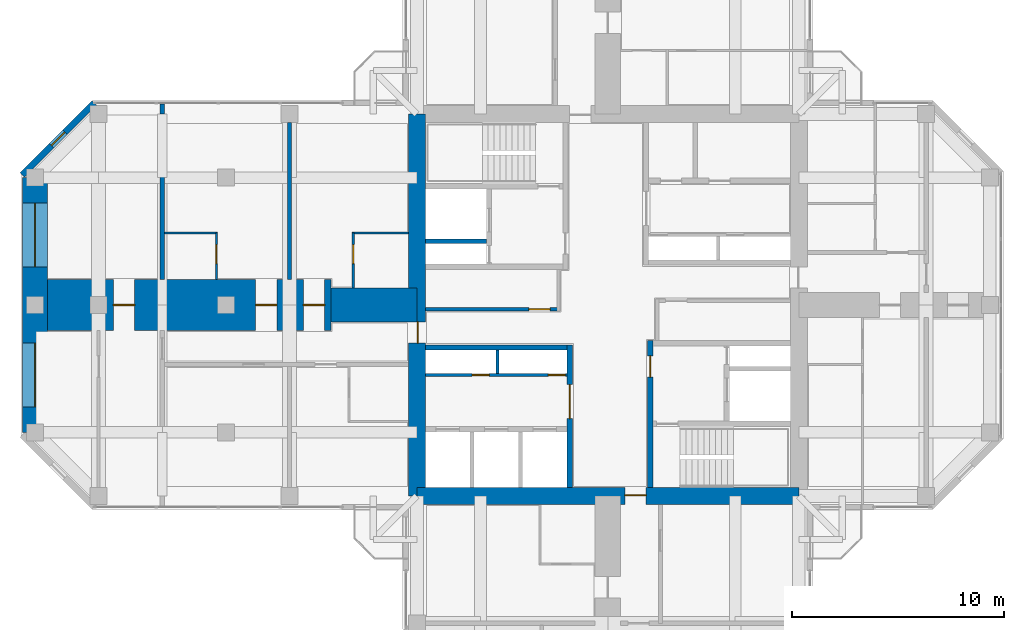
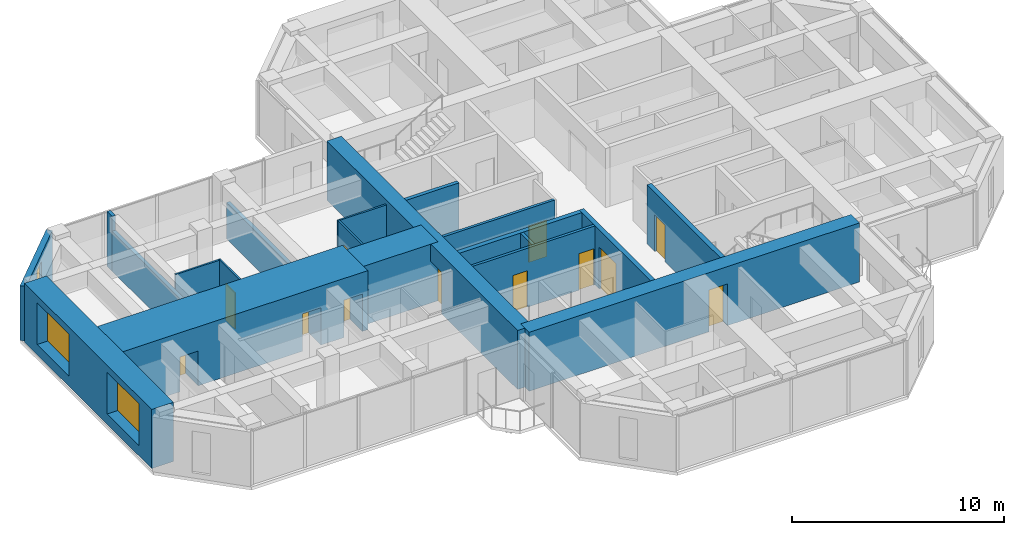
# One storey, part 9 of 13: 20 walls, 12 doors, 3 windows, 15 openings.
"""IFC4 building model written with IfcOpenShell, lengths in metres."""

import ifcopenshell
import ifcopenshell.guid

model = None  # the IFC model being written
_history = None  # IfcOwnerHistory: only IFC2X3 demands one
_inside = {}  # id of a spatial element -> (the spatial element, [elements in it])
_under = {}  # id of a project, library or spatial element -> (it, [spatial elements below it])
_declared = {}  # id of a project -> (the project, [libraries it declares])
_typed = {}  # id of a type object -> (the type object, [elements of that type])
_made_of = {}  # id of a material, layer set ... -> (it, [elements and type objects made of it])


def new_model(schema):
    """Start an empty IFC model of exactly this schema.

    Asked for "IFC4X3", IfcOpenShell would pick the latest addendum, in which some entities
    have other attributes; the version numbers below select the first issue.
    IFC2X3 requires an IfcOwnerHistory on every rooted entity: one is made here for all.
    """
    global model, _history
    if schema == "IFC4X3":
        model = ifcopenshell.file(schema_version=(4, 3, 0, 0))
    else:
        model = ifcopenshell.file(schema=schema)
    _inside.clear()
    _under.clear()
    _declared.clear()
    _typed.clear()
    _made_of.clear()
    _history = None
    if model.schema == "IFC2X3":
        org = make("IfcOrganization", Name="unknown")
        user = make(
            "IfcPersonAndOrganization",
            ThePerson=make("IfcPerson", FamilyName="unknown"),
            TheOrganization=org,
        )
        app = make(
            "IfcApplication",
            ApplicationDeveloper=org,
            Version="unknown",
            ApplicationFullName="unknown",
            ApplicationIdentifier="unknown",
        )
        _history = make(
            "IfcOwnerHistory",
            OwningUser=user,
            OwningApplication=app,
            ChangeAction="ADDED",
            CreationDate=0,
        )
    return model


def make(cls, **values):
    """One entity of the class cls with the attributes given. An attribute that is None is left unset."""
    return model.create_entity(
        cls, **{name: value for name, value in values.items() if value is not None}
    )


def rooted(cls, **values):
    """An entity with a GlobalId (a new one), such as an element, a storey or a relation."""
    return make(cls, GlobalId=ifcopenshell.guid.new(), OwnerHistory=_history, **values)


def si_unit(unit_type, name, prefix=None):
    """IfcSIUnit, for example si_unit("LENGTHUNIT", "METRE", prefix="MILLI")."""
    return make("IfcSIUnit", UnitType=unit_type, Prefix=prefix, Name=name)


def assignment(units):
    """IfcUnitAssignment: the units of a project."""
    return None if units is None else make("IfcUnitAssignment", Units=units)


def point(xyz):
    """IfcCartesianPoint."""
    return None if xyz is None else make("IfcCartesianPoint", Coordinates=xyz)


def direction(xyz):
    """IfcDirection."""
    return None if xyz is None else make("IfcDirection", DirectionRatios=xyz)


def frame(location, z_axis=None, x_axis=None):
    """IfcAxis2Placement3D, a coordinate frame: its origin and axes. An axis left out is left unset."""
    return make(
        "IfcAxis2Placement3D",
        Location=point(location),
        Axis=direction(z_axis),
        RefDirection=direction(x_axis),
    )


def frame_2d(location, x_axis=None):
    """IfcAxis2Placement2D, a coordinate frame in the plane: its origin and x axis."""
    return make(
        "IfcAxis2Placement2D", Location=point(location), RefDirection=direction(x_axis)
    )


def origin():
    """The frame at (0, 0, 0) with its axes left unset."""
    return frame((0.0, 0.0, 0.0))


def place(relative_to, where):
    """IfcLocalPlacement: puts the frame where relative to a parent placement (None: the world)."""
    return make(
        "IfcLocalPlacement", PlacementRelTo=relative_to, RelativePlacement=where
    )


def context(
    kind, dimensions, precision=None, world=None, true_north=None, identifier=None
):
    """IfcGeometricRepresentationContext, for example the 3D "Model" context."""
    return make(
        "IfcGeometricRepresentationContext",
        ContextIdentifier=identifier,
        ContextType=kind,
        CoordinateSpaceDimension=dimensions,
        Precision=precision,
        WorldCoordinateSystem=world,
        TrueNorth=true_north,
    )


def subcontext(parent, identifier, kind, view, scale=None):
    """IfcGeometricRepresentationSubContext, for example "Body" below "Model"."""
    return make(
        "IfcGeometricRepresentationSubContext",
        ContextIdentifier=identifier,
        ContextType=kind,
        ParentContext=parent,
        TargetScale=scale,
        TargetView=view,
    )


def project(units=None, contexts=None):
    """IfcProject with its units and contexts."""
    return rooted(
        "IfcProject",
        Name="project",
        RepresentationContexts=contexts,
        UnitsInContext=assignment(units),
    )


def spatial(cls, under=None, at=None, **own):
    """A site, building, storey or space (cls), placed at a placement, below another one or the project."""
    s = rooted(cls, ObjectPlacement=at, **own)
    if under is not None:
        _under.setdefault(under.id(), (under, []))[1].append(s)
    return s


def profile(cls, at=None, kind="AREA", **sizes):
    """A parametric profile (cls). Its sizes go by their IFC names, for example OverallWidth=200.0."""
    return make(cls, ProfileType=kind, Position=at, **sizes)


def rectangle(**sizes):
    """IfcRectangleProfileDef."""
    return profile("IfcRectangleProfileDef", **sizes)


def hollow_rectangle(**sizes):
    """IfcRectangleHollowProfileDef."""
    return profile("IfcRectangleHollowProfileDef", **sizes)


def extrude(swept, where, along, depth):
    """IfcExtrudedAreaSolid: the profile swept, set in the frame where, extruded along a direction by depth."""
    return make(
        "IfcExtrudedAreaSolid",
        SweptArea=swept,
        Position=where,
        ExtrudedDirection=direction(along),
        Depth=depth,
    )


def shape(context_of_items, identifier, shape_type, items):
    """IfcShapeRepresentation: the items that make up one representation, for example the "Body"."""
    return make(
        "IfcShapeRepresentation",
        ContextOfItems=context_of_items,
        RepresentationIdentifier=identifier,
        RepresentationType=shape_type,
        Items=items,
    )


def material(Name=None, Category=None):
    """IfcMaterial."""
    return make("IfcMaterial", Name=Name, Category=Category)


def layer(
    of_material, thickness, ventilated=None, Name=None, Category=None, Priority=None
):
    """IfcMaterialLayer: one layer of a wall or slab, of a material (None: an air gap)."""
    return make(
        "IfcMaterialLayer",
        Material=of_material,
        LayerThickness=thickness,
        IsVentilated=ventilated,
        Name=Name,
        Category=Category,
        Priority=Priority,
    )


def layer_set(layers, Name=None):
    """IfcMaterialLayerSet."""
    return make("IfcMaterialLayerSet", MaterialLayers=layers, LayerSetName=Name)


def constituent(of_material, Name=None, Category=None, fraction=None):
    """IfcMaterialConstituent: one of the materials an element consists of."""
    return make(
        "IfcMaterialConstituent",
        Name=Name,
        Material=of_material,
        Fraction=fraction,
        Category=Category,
    )


def constituent_set(constituents=None, Name=None):
    """IfcMaterialConstituentSet."""
    return make(
        "IfcMaterialConstituentSet", Name=Name, MaterialConstituents=constituents
    )


def made_of(thing, what):
    """Note that an element or type object is made of a material, layer set ...; save() writes the relation."""
    if what is not None:
        _made_of.setdefault(what.id(), (what, []))[1].append(thing)
    return thing


def type_object(cls, material=None, **own):
    """A type object (cls), such as IfcWallType, which elements share."""
    return made_of(rooted(cls, **own), material)


def element(
    cls,
    number,
    at=None,
    inside=None,
    cuts=None,
    type_object=None,
    material=None,
    context=None,
    identifier="Body",
    shape_type=None,
    held_by="IfcProductDefinitionShape",
    body=None,
    shapes=None,
    **own,
):
    """One element of the class cls, such as IfcWall. Its Tag is "e" and its number.

    at: its placement. inside: the storey or other place that contains it. cuts: it is an
    opening in that element (IfcRelVoidsElement). A single representation is given by context,
    identifier, shape_type and body (its items); several are given by shapes. held_by: the class
    of the entity that holds the representations. save() writes the other relations.
    """
    e = rooted(cls, Tag="e%d" % number, ObjectPlacement=at, **own)
    if body is not None:
        shapes = [shape(context, identifier, shape_type, body)]
    if shapes is not None:
        e.Representation = make(held_by, Representations=shapes)
    if inside is not None:
        _inside.setdefault(inside.id(), (inside, []))[1].append(e)
    if cuts is not None:
        rooted(
            "IfcRelVoidsElement", RelatingBuildingElement=cuts, RelatedOpeningElement=e
        )
    if type_object is not None:
        _typed.setdefault(type_object.id(), (type_object, []))[1].append(e)
    return made_of(e, material)


def fill(opening, filler):
    """IfcRelFillsElement: the door or window that sits in an opening."""
    return rooted(
        "IfcRelFillsElement",
        RelatingOpeningElement=opening,
        RelatedBuildingElement=filler,
    )


def aggregate(whole, parts):
    """IfcRelAggregates: a whole, such as a stair, and the parts it consists of."""
    return rooted("IfcRelAggregates", RelatingObject=whole, RelatedObjects=parts)


def save(model, path):
    """Write the relations noted so far, then the file.

    IfcRelAggregates (storeys below a building ...), IfcRelContainedInSpatialStructure (elements
    in a storey), IfcRelDefinesByType, IfcRelAssociatesMaterial and IfcRelDeclares: one each for
    every whole, place, type object, material and project.
    """
    for whole, parts in _under.values():
        aggregate(whole, parts)
    for where, things in _inside.values():
        rooted(
            "IfcRelContainedInSpatialStructure",
            RelatedElements=things,
            RelatingStructure=where,
        )
    for kind, things in _typed.values():
        rooted("IfcRelDefinesByType", RelatedObjects=things, RelatingType=kind)
    for what, things in _made_of.values():
        rooted("IfcRelAssociatesMaterial", RelatedObjects=things, RelatingMaterial=what)
    for by, libraries in _declared.values():
        rooted("IfcRelDeclares", RelatingContext=by, RelatedDefinitions=libraries)
    model.write(path)


model = new_model("IFC4")

# Units and contexts
model_context = context("Model", 3, precision=1e-05, world=origin(), true_north=direction((0.0, 1.0)))
body_context = subcontext(model_context, "Body", "Model", "MODEL_VIEW")
ifc_project = project(units=[si_unit("LENGTHUNIT", "METRE"), si_unit("AREAUNIT", "SQUARE_METRE"), si_unit("VOLUMEUNIT", "CUBIC_METRE"), si_unit("PLANEANGLEUNIT", "RADIAN"), si_unit("MASSUNIT", "GRAM", prefix="KILO")], contexts=[model_context])

# Site, building, storey
site_placement = place(None, origin())
site = spatial("IfcSite", under=ifc_project, at=site_placement, CompositionType="ELEMENT")
building_placement = place(site_placement, origin())
building = spatial("IfcBuilding", under=site, at=building_placement, Name="Torre Cruceta", CompositionType="ELEMENT")
storey_placement = place(building_placement, frame((0.0, 0.0, 249.300048828125)))
storey = spatial("IfcBuildingStorey", under=building, at=storey_placement, Name="L64", CompositionType="ELEMENT", Elevation=249.300048828125)

# Wall
ifc_material_1 = material(Name="Water-resistant plasterboard on steel studs", Category="steel")
ifc_layer_1 = layer(ifc_material_1, 0.10009765625)
ifc_layer_set_1 = layer_set([ifc_layer_1], Name="Water-resistant plasterboard on steel studs")
wall_type_1 = type_object("IfcWallType", Name="BATHROOM WALL 100", PredefinedType="PARTITIONING", material=ifc_layer_set_1)
wall_1_placement = place(storey_placement, frame((-9.39990234375, 3.39990234375, 0.0), z_axis=(0.0, 0.0, 1.0), x_axis=(-1.0, 0.0, 0.0)))
element("IfcWall", 1, at=wall_1_placement, inside=storey, type_object=wall_type_1, Name="PT4 L64-W-U1RBB", PredefinedType="PARTITIONING", context=body_context, shape_type="SweptSolid", body=[
    extrude(rectangle(XDim=2.650146484375, YDim=0.10009765625, at=frame_2d((1.3251953125, 0.0))), origin(), (0.0, 0.0, 1.0), 3.14990234375),
])

# Wall, opening, door
wall_2_placement = place(storey_placement, frame((-12.0, 3.39990234375, 0.0), z_axis=(0.0, 0.0, 1.0), x_axis=(0.0, -1.0, 0.0)))
wall_2 = element("IfcWall", 2, at=wall_2_placement, inside=storey, type_object=wall_type_1, Name="PT4 L64-W-U1RBS", PredefinedType="PARTITIONING", context=body_context, shape_type="SweptSolid", body=[
    extrude(rectangle(XDim=2.599853515625, YDim=0.10009765625, at=frame_2d((1.2998046875, 0.0))), origin(), (0.0, 0.0, 1.0), 3.14990234375),
])
opening_1_placement = place(wall_2_placement, frame((0.550048828125, 0.0, 0.0)))
opening_1 = element("IfcOpeningElement", 3, at=opening_1_placement, cuts=wall_2, Name="Opening D7", PredefinedType="OPENING", context=body_context, shape_type="SweptSolid", body=[
    extrude(rectangle(XDim=0.89990234375, YDim=2.10009765625, at=frame_2d((0.449951171875, 1.050048828125))), frame((0.0, 0.06005859375, 0.0), z_axis=(0.0, -1.0, 0.0), x_axis=(1.0, 0.0, 0.0)), (0.0, 0.0, 1.0), 0.1201171875),
])
ifc_material_2 = material(Name="Timber door", Category="wood")
door_type_1 = type_object("IfcDoorType", Name="BATHROOM DOOR 900X2100", OperationType="SINGLE_SWING_LEFT", PredefinedType="DOOR", material=ifc_material_2)
door_1_placement = place(opening_1_placement, origin())
door_1 = element("IfcDoor", 4, at=door_1_placement, inside=storey, type_object=door_type_1, Name="D7 L64-W-U1RBS-D1", OperationType="SINGLE_SWING_LEFT", OverallHeight=2.10009765625, OverallWidth=0.89990234375, PredefinedType="DOOR", context=body_context, shape_type="SweptSolid", body=[
    extrude(rectangle(XDim=0.89990234375, YDim=2.10009765625, at=frame_2d((0.449951171875, 1.050048828125))), frame((0.0, 0.02490234375, 0.0), z_axis=(0.0, -1.0, 0.0), x_axis=(1.0, 0.0, 0.0)), (0.0, 0.0, 1.0), 0.050048828125),
])
fill(opening_1, door_1)

# Wall
wall_3_placement = place(storey_placement, frame((-18.39990234375, 3.39990234375, 0.0), z_axis=(0.0, 0.0, 1.0), x_axis=(-1.0, 0.0, 0.0)))
element("IfcWall", 5, at=wall_3_placement, inside=storey, type_object=wall_type_1, Name="PT4 L64-W-U2RBB", PredefinedType="PARTITIONING", context=body_context, shape_type="SweptSolid", body=[
    extrude(rectangle(XDim=2.5, YDim=0.10009765625, at=frame_2d((1.25, 0.0))), origin(), (0.0, 0.0, 1.0), 3.14990234375),
])

# Wall, opening, door
wall_4_placement = place(storey_placement, frame((-18.449951171875, 3.39990234375, 0.0), z_axis=(0.0, 0.0, 1.0), x_axis=(0.0, -1.0, 0.0)))
wall_4 = element("IfcWall", 6, at=wall_4_placement, inside=storey, type_object=wall_type_1, Name="PT4 L64-W-U2RBS", PredefinedType="PARTITIONING", context=body_context, shape_type="SweptSolid", body=[
    extrude(rectangle(XDim=2.199951171875, YDim=0.10009765625, at=frame_2d((1.10009765625, 0.0))), origin(), (0.0, 0.0, 1.0), 3.14990234375),
])
opening_2_placement = place(wall_4_placement, frame((0.550048828125, 0.0, 0.0)))
opening_2 = element("IfcOpeningElement", 7, at=opening_2_placement, cuts=wall_4, Name="Opening D7", PredefinedType="OPENING", context=body_context, shape_type="SweptSolid", body=[
    extrude(rectangle(XDim=0.89990234375, YDim=2.10009765625, at=frame_2d((0.449951171875, 1.050048828125))), frame((0.0, 0.06005859375, 0.0), z_axis=(0.0, -1.0, 0.0), x_axis=(1.0, 0.0, 0.0)), (0.0, 0.0, 1.0), 0.1201171875),
])
door_2_placement = place(opening_2_placement, frame((0.89990234375, 0.0, 0.0), z_axis=(0.0, 0.0, 1.0), x_axis=(-1.0, 0.0, 0.0)))
door_2 = element("IfcDoor", 8, at=door_2_placement, inside=storey, type_object=door_type_1, Name="D7 L64-W-U2RBS-D1", OperationType="SINGLE_SWING_RIGHT", OverallHeight=2.10009765625, OverallWidth=0.89990234375, PredefinedType="DOOR", context=body_context, shape_type="SweptSolid", body=[
    extrude(rectangle(XDim=0.89990234375, YDim=2.10009765625, at=frame_2d((0.449951171875, 1.050048828125))), frame((0.0, 0.025146484375, 0.0), z_axis=(0.0, -1.0, 0.0), x_axis=(1.0, 0.0, 0.0)), (0.0, 0.0, 1.0), 0.050048828125),
])
fill(opening_2, door_2)

ifc_material_3 = material(Name="Concrete G60 (fck 60 MPa)", Category="concrete")
ifc_layer_2 = layer(ifc_material_3, 0.25)
ifc_layer_set_2 = layer_set([ifc_layer_2], Name="Concrete G60 (fck 60 MPa)")
wall_type_2 = type_object("IfcWallType", Name="CORE INNER WALL 250 G60", PredefinedType="SHEAR", material=ifc_layer_set_2)
wall_5_placement = place(storey_placement, frame((-1.800048828125, -1.875, 0.0), z_axis=(0.0, 0.0, 1.0), x_axis=(0.0, -1.0, 0.0)))
wall_5 = element("IfcWall", 9, at=wall_5_placement, inside=storey, type_object=wall_type_2, Name="CW4 L64 SW-CU", PredefinedType="SHEAR", context=body_context, shape_type="SweptSolid", body=[
    extrude(rectangle(XDim=6.72509765625, YDim=0.25, at=frame_2d((3.362548828125, 0.0))), origin(), (0.0, 0.0, 1.0), 3.39990234375),
])
opening_3_placement = place(wall_5_placement, frame((1.875, 0.0, 0.0)))
opening_3 = element("IfcOpeningElement", 10, at=opening_3_placement, cuts=wall_5, Name="Opening D8", PredefinedType="OPENING", context=body_context, shape_type="SweptSolid", body=[
    extrude(rectangle(XDim=1.60009765625, YDim=2.39990234375, at=frame_2d((0.800048828125, 1.199951171875))), frame((0.0, 0.135009765625, 0.0), z_axis=(0.0, -1.0, 0.0), x_axis=(1.0, 0.0, 0.0)), (0.0, 0.0, 1.0), 0.27001953125),
])
ifc_material_4 = material(Name="Steel DX51D", Category="steel")
ifc_constituent_1 = constituent(ifc_material_4, Name="Leaf and frame")
ifc_material_5 = material(Name="Polyester powder coating", Category="paint")
ifc_constituent_2 = constituent(ifc_material_5, Name="Finish")
ifc_material_6 = material(Name="Fire-resisting glass", Category="glass")
ifc_constituent_3 = constituent(ifc_material_6, Name="Vision panel")
ifc_constituent_set_1 = constituent_set(constituents=[ifc_constituent_1, ifc_constituent_2, ifc_constituent_3], Name="Steel fire door with vision panels")
door_type_2 = type_object("IfcDoorType", Name="LIFT LOBBY DOUBLE DOOR 1600X2400", OperationType="DOUBLE_DOOR_DOUBLE_SWING", PredefinedType="DOOR", material=ifc_constituent_set_1)
door_3_placement = place(opening_3_placement, origin())
door_3 = element("IfcDoor", 11, at=door_3_placement, inside=storey, type_object=door_type_2, Name="D8 L64 SW-LOBBY", OperationType="DOUBLE_DOOR_DOUBLE_SWING", OverallHeight=2.39990234375, OverallWidth=1.60009765625, PredefinedType="DOOR", context=body_context, shape_type="SweptSolid", body=[
    extrude(rectangle(XDim=1.60009765625, YDim=2.39990234375, at=frame_2d((0.800048828125, 1.199951171875))), frame((0.0, 0.02490234375, 0.0), z_axis=(0.0, -1.0, 0.0), x_axis=(1.0, 0.0, 0.0)), (0.0, 0.0, 1.0), 0.050048828125),
])
fill(opening_3, door_3)

# Wall
wall_6_placement = place(storey_placement, frame((-1.925048828125, -2.0, 0.0), z_axis=(0.0, 0.0, 1.0), x_axis=(-1.0, 0.0, 0.0)))
element("IfcWall", 12, at=wall_6_placement, inside=storey, type_object=wall_type_2, Name="CW4 L64 SW-CV", PredefinedType="SHEAR", context=body_context, shape_type="SweptSolid", body=[
    extrude(rectangle(XDim=6.675048828125, YDim=0.25, at=frame_2d((3.33740234375, 0.0))), origin(), (0.0, 0.0, 1.0), 3.39990234375),
])

# Wall, opening, door
wall_7_placement = place(storey_placement, frame((2.0, -1.675048828125, 0.0), z_axis=(0.0, 0.0, 1.0), x_axis=(0.0, -1.0, 0.0)))
wall_7 = element("IfcWall", 13, at=wall_7_placement, inside=storey, type_object=wall_type_2, Name="CW4 L64 SE-CU", PredefinedType="SHEAR", context=body_context, shape_type="SweptSolid", body=[
    extrude(rectangle(XDim=6.925048828125, YDim=0.25, at=frame_2d((3.46240234375, 0.0))), origin(), (0.0, 0.0, 1.0), 3.39990234375),
])
opening_4_placement = place(wall_7_placement, frame((0.72509765625, 0.0, 0.0)))
opening_4 = element("IfcOpeningElement", 14, at=opening_4_placement, cuts=wall_7, Name="Opening D3", PredefinedType="OPENING", context=body_context, shape_type="SweptSolid", body=[
    extrude(rectangle(XDim=1.0, YDim=2.10009765625, at=frame_2d((0.5, 1.050048828125))), frame((0.0, 0.135009765625, 0.0), z_axis=(0.0, -1.0, 0.0), x_axis=(1.0, 0.0, 0.0)), (0.0, 0.0, 1.0), 0.27001953125),
])
ifc_material_7 = material(Name="Steel DX51D", Category="steel")
ifc_constituent_4 = constituent(ifc_material_7, Name="Leaf and frame")
ifc_material_8 = material(Name="Polyester powder coating", Category="paint")
ifc_constituent_5 = constituent(ifc_material_8, Name="Finish")
ifc_constituent_set_2 = constituent_set(constituents=[ifc_constituent_4, ifc_constituent_5], Name="Steel fire door")
door_type_3 = type_object("IfcDoorType", Name="FIRE DOOR 1000X2100", OperationType="SINGLE_SWING_LEFT", PredefinedType="DOOR", material=ifc_constituent_set_2)
door_4_placement = place(opening_4_placement, origin())
door_4 = element("IfcDoor", 15, at=door_4_placement, inside=storey, type_object=door_type_3, Name="D3 L64 SE-LOBBY", OperationType="SINGLE_SWING_LEFT", OverallHeight=2.10009765625, OverallWidth=1.0, PredefinedType="DOOR", context=body_context, shape_type="SweptSolid", body=[
    extrude(rectangle(XDim=1.0, YDim=2.10009765625, at=frame_2d((0.5, 1.050048828125))), frame((0.0, 0.02490234375, 0.0), z_axis=(0.0, -1.0, 0.0), x_axis=(1.0, 0.0, 0.0)), (0.0, 0.0, 1.0), 0.050048828125),
])
fill(opening_4, door_4)

ifc_material_9 = material(Name="Concrete G60 (fck 60 MPa)", Category="concrete")
ifc_layer_3 = layer(ifc_material_9, 0.800048828125)
ifc_layer_set_3 = layer_set([ifc_layer_3], Name="Concrete G60 (fck 60 MPa)")
wall_type_3 = type_object("IfcWallType", Name="CORE WALL 800 G60", PredefinedType="SHEAR", material=ifc_layer_set_3)
wall_8_placement = place(storey_placement, frame((-9.0, -9.0, 0.0), z_axis=(0.0, 0.0, 1.0), x_axis=(1.0, 0.0, 0.0)))
wall_8 = element("IfcWall", 16, at=wall_8_placement, inside=storey, type_object=wall_type_3, Name="CW3 L64 CW-S", PredefinedType="SHEAR", context=body_context, shape_type="SweptSolid", body=[
    extrude(rectangle(XDim=18.0, YDim=0.800048828125, at=frame_2d((9.0, 0.0))), origin(), (0.0, 0.0, 1.0), 3.39990234375),
])
opening_5_placement = place(wall_8_placement, frame((9.800048828125, 0.0, 0.0)))
opening_5 = element("IfcOpeningElement", 17, at=opening_5_placement, cuts=wall_8, Name="Opening D4", PredefinedType="OPENING", context=body_context, shape_type="SweptSolid", body=[
    extrude(rectangle(XDim=1.0, YDim=2.39990234375, at=frame_2d((0.5, 1.199951171875))), frame((0.0, 0.409912109375, 0.0), z_axis=(0.0, -1.0, 0.0), x_axis=(1.0, 0.0, 0.0)), (0.0, 0.0, 1.0), 0.820068359375),
])
ifc_material_10 = material(Name="Steel DX51D", Category="steel")
ifc_constituent_6 = constituent(ifc_material_10, Name="Leaf and frame")
ifc_material_11 = material(Name="Polyester powder coating", Category="paint")
ifc_constituent_7 = constituent(ifc_material_11, Name="Finish")
ifc_constituent_set_3 = constituent_set(constituents=[ifc_constituent_6, ifc_constituent_7], Name="Steel fire door")
door_type_4 = type_object("IfcDoorType", Name="CORE ARM DOOR 1000X2400", OperationType="SINGLE_SWING_RIGHT", PredefinedType="DOOR", material=ifc_constituent_set_3)
door_5_placement = place(opening_5_placement, origin())
door_5 = element("IfcDoor", 18, at=door_5_placement, inside=storey, type_object=door_type_4, Name="D4 L64 CW-S", OperationType="SINGLE_SWING_RIGHT", OverallHeight=2.39990234375, OverallWidth=1.0, PredefinedType="DOOR", context=body_context, shape_type="SweptSolid", body=[
    extrude(rectangle(XDim=1.0, YDim=2.39990234375, at=frame_2d((0.5, 1.199951171875))), frame((0.0, 0.05517578125, 0.0), z_axis=(0.0, -1.0, 0.0), x_axis=(1.0, 0.0, 0.0)), (0.0, 0.0, 1.0), 0.050048828125),
])
fill(opening_5, door_5)

wall_9_placement = place(storey_placement, frame((-9.0, 9.0, 0.0), z_axis=(0.0, 0.0, 1.0), x_axis=(0.0, -1.0, 0.0)))
wall_9 = element("IfcWall", 19, at=wall_9_placement, inside=storey, type_object=wall_type_3, Name="CW3 L64 CW-W", PredefinedType="SHEAR", context=body_context, shape_type="SweptSolid", body=[
    extrude(rectangle(XDim=18.0, YDim=0.800048828125, at=frame_2d((9.0, 0.0))), origin(), (0.0, 0.0, 1.0), 3.39990234375),
])
opening_6_placement = place(wall_9_placement, frame((9.800048828125, 0.0, 0.0)))
opening_6 = element("IfcOpeningElement", 20, at=opening_6_placement, cuts=wall_9, Name="Opening D4", PredefinedType="OPENING", context=body_context, shape_type="SweptSolid", body=[
    extrude(rectangle(XDim=1.0, YDim=2.39990234375, at=frame_2d((0.5, 1.199951171875))), frame((0.0, 0.409912109375, 0.0), z_axis=(0.0, -1.0, 0.0), x_axis=(1.0, 0.0, 0.0)), (0.0, 0.0, 1.0), 0.820068359375),
])
door_6_placement = place(opening_6_placement, origin())
door_6 = element("IfcDoor", 21, at=door_6_placement, inside=storey, type_object=door_type_4, Name="D4 L64 CW-W", OperationType="SINGLE_SWING_RIGHT", OverallHeight=2.39990234375, OverallWidth=1.0, PredefinedType="DOOR", context=body_context, shape_type="SweptSolid", body=[
    extrude(rectangle(XDim=1.0, YDim=2.39990234375, at=frame_2d((0.5, 1.199951171875))), frame((0.0, 0.05517578125, 0.0), z_axis=(0.0, -1.0, 0.0), x_axis=(1.0, 0.0, 0.0)), (0.0, 0.0, 1.0), 0.050048828125),
])
fill(opening_6, door_6)

# Wall, opening, window
ifc_material_12 = material(Name="Concrete G30 (fck 30 MPa)", Category="concrete")
ifc_layer_4 = layer(ifc_material_12, 0.300048828125)
ifc_layer_set_4 = layer_set([ifc_layer_4], Name="Concrete G30 (fck 30 MPa)")
wall_type_4 = type_object("IfcWallType", Name="EXPOSED CONCRETE FACADE WALL 300", PredefinedType="SOLIDWALL", material=ifc_layer_set_4)
wall_10_placement = place(storey_placement, frame((-24.21533203125, 9.52001953125, 0.0), z_axis=(0.0, 0.0, 1.0), x_axis=(-0.707132283189, -0.707081278264, 0.0)))
wall_10 = element("IfcWall", 22, at=wall_10_placement, inside=storey, type_object=wall_type_4, Name="EW1 facade wall L64 W chamfer 11", PredefinedType="SOLIDWALL", context=body_context, shape_type="SweptSolid", body=[
    extrude(rectangle(XDim=4.78662109375, YDim=0.300048828125, at=frame_2d((2.393310546875, 0.0))), origin(), (0.0, 0.0, 1.0), 3.14990234375),
])
opening_7_placement = place(wall_10_placement, frame((1.943359375, 0.0, 0.300048828125)))
opening_7 = element("IfcOpeningElement", 23, at=opening_7_placement, cuts=wall_10, Name="Opening WN5", PredefinedType="OPENING", context=body_context, shape_type="SweptSolid", body=[
    extrude(rectangle(XDim=0.89990234375, YDim=2.39990234375, at=frame_2d((0.449951171875, 1.199951171875))), frame((0.0, 0.159912109375, 0.0), z_axis=(0.0, -1.0, 0.0), x_axis=(1.0, 0.0, 0.0)), (0.0, 0.0, 1.0), 0.320068359375),
])
ifc_material_13 = material(Name="Aluminium window frame", Category="aluminium")
ifc_constituent_8 = constituent(ifc_material_13, Name="Frame")
ifc_material_14 = material(Name="Laminated insulating glass unit, low-iron clear", Category="glass")
ifc_constituent_9 = constituent(ifc_material_14, Name="Glazing")
ifc_constituent_set_4 = constituent_set(constituents=[ifc_constituent_8, ifc_constituent_9], Name="Aluminium window")
window_type_1 = type_object("IfcWindowType", Name="CHAMFER SLOT WINDOW 900X2400", PartitioningType="SINGLE_PANEL", PredefinedType="WINDOW", material=ifc_constituent_set_4)
window_1_placement = place(opening_7_placement, origin())
window_1 = element("IfcWindow", 24, at=window_1_placement, inside=storey, type_object=window_type_1, Name="WN5 L64 W 1", OverallHeight=2.39990234375, OverallWidth=0.89990234375, PartitioningType="SINGLE_PANEL", PredefinedType="WINDOW", context=body_context, shape_type="SweptSolid", body=[
    extrude(hollow_rectangle(XDim=0.89990234375, YDim=2.39990234375, WallThickness=0.06005859375, at=frame_2d((0.449951171875, 1.199951171875))), frame((0.0, 0.030029296875, 0.0), z_axis=(0.0, -1.0, 0.0), x_axis=(1.0, 0.0, 0.0)), (0.0, 0.0, 1.0), 0.06005859375),
    extrude(rectangle(XDim=0.77880859375, YDim=2.27880859375, at=frame_2d((0.449951171875, 1.199951171875))), frame((0.0, 0.030029296875, 0.0), z_axis=(0.0, -1.0, 0.0), x_axis=(1.0, 0.0, 0.0)), (0.0, 0.0, 1.0), 0.06005859375),
])
fill(opening_7, window_1)

# Wall
ifc_material_15 = material(Name="Concrete G35 (fck 35 MPa)", Category="concrete")
ifc_layer_5 = layer(ifc_material_15, 0.199951171875)
ifc_layer_set_5 = layer_set([ifc_layer_5], Name="Concrete G35 (fck 35 MPa)")
wall_type_5 = type_object("IfcWallType", Name="LIFT SHAFT WALL 200", PredefinedType="PARTITIONING", material=ifc_layer_set_5)
wall_11_placement = place(storey_placement, frame((-5.72509765625, 3.0, 0.0), z_axis=(0.0, 0.0, 1.0), x_axis=(-1.0, 0.0, 0.0)))
element("IfcWall", 25, at=wall_11_placement, inside=storey, type_object=wall_type_5, Name="SW1 L64 NW-FR", PredefinedType="PARTITIONING", context=body_context, shape_type="SweptSolid", body=[
    extrude(rectangle(XDim=2.875, YDim=0.199951171875, at=frame_2d((1.4375, 0.0))), origin(), (0.0, 0.0, 1.0), 3.39990234375),
])

# Wall, openings, windows
ifc_material_16 = material(Name="Concrete G60 (fck 60 MPa)", Category="concrete")
ifc_layer_6 = layer(ifc_material_16, 1.199951171875)
ifc_layer_set_6 = layer_set([ifc_layer_6], Name="Concrete G60 (fck 60 MPa)")
wall_type_6 = type_object("IfcWallType", Name="NOSE WALL 1200 G60", PredefinedType="SHEAR", material=ifc_layer_set_6)
wall_12_placement = place(storey_placement, frame((-27.0, 6.0, 0.0), z_axis=(0.0, 0.0, 1.0), x_axis=(0.0, -1.0, 0.0)))
wall_12 = element("IfcWall", 26, at=wall_12_placement, inside=storey, type_object=wall_type_6, Name="NW1 nose wall L64 W", PredefinedType="SHEAR", context=body_context, shape_type="SweptSolid", body=[
    extrude(rectangle(XDim=12.0, YDim=1.199951171875, at=frame_2d((6.0, 0.0))), origin(), (0.0, 0.0, 1.0), 3.39990234375),
])
opening_8_placement = place(wall_12_placement, frame((1.199951171875, 0.0, 0.60009765625)))
opening_8 = element("IfcOpeningElement", 27, at=opening_8_placement, cuts=wall_12, Name="Opening WN6", PredefinedType="OPENING", context=body_context, shape_type="SweptSolid", body=[
    extrude(rectangle(XDim=3.0, YDim=2.39990234375, at=frame_2d((1.5, 1.199951171875))), frame((0.0, 0.60986328125, 0.0), z_axis=(0.0, -1.0, 0.0), x_axis=(1.0, 0.0, 0.0)), (0.0, 0.0, 1.0), 1.219970703125),
])
opening_9_placement = place(wall_12_placement, frame((7.800048828125, 0.0, 0.60009765625)))
opening_9 = element("IfcOpeningElement", 28, at=opening_9_placement, cuts=wall_12, Name="Opening WN6", PredefinedType="OPENING", context=body_context, shape_type="SweptSolid", body=[
    extrude(rectangle(XDim=3.0, YDim=2.39990234375, at=frame_2d((1.5, 1.199951171875))), frame((0.0, 0.60986328125, 0.0), z_axis=(0.0, -1.0, 0.0), x_axis=(1.0, 0.0, 0.0)), (0.0, 0.0, 1.0), 1.219970703125),
])
ifc_material_17 = material(Name="Aluminium window frame", Category="aluminium")
ifc_constituent_10 = constituent(ifc_material_17, Name="Frame")
ifc_material_18 = material(Name="Laminated insulating glass unit, low-iron clear", Category="glass")
ifc_constituent_11 = constituent(ifc_material_18, Name="Glazing")
ifc_constituent_set_5 = constituent_set(constituents=[ifc_constituent_10, ifc_constituent_11], Name="Aluminium window")
window_type_2 = type_object("IfcWindowType", Name="NOSE WALL WINDOW 3000X2400", PartitioningType="SINGLE_PANEL", PredefinedType="WINDOW", material=ifc_constituent_set_5)
window_2_placement = place(opening_8_placement, origin())
window_2 = element("IfcWindow", 29, at=window_2_placement, inside=storey, type_object=window_type_2, Name="WN6 L64 W 1", OverallHeight=2.39990234375, OverallWidth=3.0, PartitioningType="SINGLE_PANEL", PredefinedType="WINDOW", context=body_context, shape_type="SweptSolid", body=[
    extrude(hollow_rectangle(XDim=3.0, YDim=2.39990234375, WallThickness=0.06005859375, at=frame_2d((1.5, 1.199951171875))), frame((0.0, 0.030029296875, 0.0), z_axis=(0.0, -1.0, 0.0), x_axis=(1.0, 0.0, 0.0)), (0.0, 0.0, 1.0), 0.06005859375),
    extrude(rectangle(XDim=2.87890625, YDim=2.27880859375, at=frame_2d((1.5, 1.199951171875))), frame((0.0, 0.030029296875, 0.0), z_axis=(0.0, -1.0, 0.0), x_axis=(1.0, 0.0, 0.0)), (0.0, 0.0, 1.0), 0.06005859375),
])
fill(opening_8, window_2)
window_3_placement = place(opening_9_placement, origin())
window_3 = element("IfcWindow", 30, at=window_3_placement, inside=storey, type_object=window_type_2, Name="WN6 L64 W 2", OverallHeight=2.39990234375, OverallWidth=3.0, PartitioningType="SINGLE_PANEL", PredefinedType="WINDOW", context=body_context, shape_type="SweptSolid", body=[
    extrude(hollow_rectangle(XDim=3.0, YDim=2.39990234375, WallThickness=0.06005859375, at=frame_2d((1.5, 1.199951171875))), frame((0.0, 0.030029296875, 0.0), z_axis=(0.0, -1.0, 0.0), x_axis=(1.0, 0.0, 0.0)), (0.0, 0.0, 1.0), 0.06005859375),
    extrude(rectangle(XDim=2.87890625, YDim=2.27880859375, at=frame_2d((1.5, 1.199951171875))), frame((0.0, 0.030029296875, 0.0), z_axis=(0.0, -1.0, 0.0), x_axis=(1.0, 0.0, 0.0)), (0.0, 0.0, 1.0), 0.06005859375),
])
fill(opening_9, window_3)

# Wall, opening, door
ifc_material_19 = material(Name="Plasterboard on steel studs", Category="steel")
ifc_layer_7 = layer(ifc_material_19, 0.14990234375)
ifc_layer_set_7 = layer_set([ifc_layer_7], Name="Plasterboard on steel studs")
wall_type_7 = type_object("IfcWallType", Name="PARTITION 150", PredefinedType="PARTITIONING", material=ifc_layer_set_7)
wall_13_placement = place(storey_placement, frame((-2.324951171875, -0.199951171875, 0.0), z_axis=(0.0, 0.0, 1.0), x_axis=(-1.0, 0.0, 0.0)))
wall_13 = element("IfcWall", 31, at=wall_13_placement, inside=storey, type_object=wall_type_7, Name="PT1 L64-CORE-LEGW-N-W1", PredefinedType="PARTITIONING", context=body_context, shape_type="SweptSolid", body=[
    extrude(rectangle(XDim=6.275146484375, YDim=0.14990234375, at=frame_2d((3.1376953125, 0.0))), origin(), (0.0, 0.0, 1.0), 3.14990234375),
])
opening_10_placement = place(wall_13_placement, frame((0.39990234375, 0.0, 0.0)))
opening_10 = element("IfcOpeningElement", 32, at=opening_10_placement, cuts=wall_13, Name="Opening D3", PredefinedType="OPENING", context=body_context, shape_type="SweptSolid", body=[
    extrude(rectangle(XDim=1.0, YDim=2.10009765625, at=frame_2d((0.5, 1.050048828125))), frame((0.0, 0.0849609375, 0.0), z_axis=(0.0, -1.0, 0.0), x_axis=(1.0, 0.0, 0.0)), (0.0, 0.0, 1.0), 0.169921875),
])
door_7_placement = place(opening_10_placement, frame((1.0, 0.0, 0.0), z_axis=(0.0, 0.0, 1.0), x_axis=(-1.0, 0.0, 0.0)))
door_7 = element("IfcDoor", 33, at=door_7_placement, inside=storey, type_object=door_type_3, Name="D3 L64-CORE-LEGW-N-W1-D1", OperationType="SINGLE_SWING_RIGHT", OverallHeight=2.10009765625, OverallWidth=1.0, PredefinedType="DOOR", context=body_context, shape_type="SweptSolid", body=[
    extrude(rectangle(XDim=1.0, YDim=2.10009765625, at=frame_2d((0.5, 1.050048828125))), frame((0.0, 0.025146484375, 0.0), z_axis=(0.0, -1.0, 0.0), x_axis=(1.0, 0.0, 0.0)), (0.0, 0.0, 1.0), 0.050048828125),
])
fill(opening_10, door_7)

# Wall, openings, doors
ifc_material_20 = material(Name="Concrete block masonry", Category="masonry")
ifc_layer_8 = layer(ifc_material_20, 0.14990234375)
ifc_layer_set_8 = layer_set([ifc_layer_8], Name="Concrete block masonry")
wall_type_8 = type_object("IfcWallType", Name="RISER WALL 150", PredefinedType="PARTITIONING", material=ifc_layer_set_8)
wall_14_placement = place(storey_placement, frame((-1.925048828125, -3.300048828125, 0.0), z_axis=(0.0, 0.0, 1.0), x_axis=(-1.0, 0.0, 0.0)))
wall_14 = element("IfcWall", 34, at=wall_14_placement, inside=storey, type_object=wall_type_8, Name="SW7 L64 SW-RV", PredefinedType="PARTITIONING", context=body_context, shape_type="SweptSolid", body=[
    extrude(rectangle(XDim=6.675048828125, YDim=0.14990234375, at=frame_2d((3.33740234375, 0.0))), origin(), (0.0, 0.0, 1.0), 3.39990234375),
])
opening_11_placement = place(wall_14_placement, frame((0.074951171875, 0.0, 0.0)))
opening_11 = element("IfcOpeningElement", 35, at=opening_11_placement, cuts=wall_14, Name="Opening D5", PredefinedType="OPENING", context=body_context, shape_type="SweptSolid", body=[
    extrude(rectangle(XDim=0.800048828125, YDim=2.10009765625, at=frame_2d((0.39990234375, 1.050048828125))), frame((0.0, 0.0849609375, 0.0), z_axis=(0.0, -1.0, 0.0), x_axis=(1.0, 0.0, 0.0)), (0.0, 0.0, 1.0), 0.169921875),
])
opening_12_placement = place(wall_14_placement, frame((3.675048828125, 0.0, 0.0)))
opening_12 = element("IfcOpeningElement", 36, at=opening_12_placement, cuts=wall_14, Name="Opening D5", PredefinedType="OPENING", context=body_context, shape_type="SweptSolid", body=[
    extrude(rectangle(XDim=0.800048828125, YDim=2.10009765625, at=frame_2d((0.39990234375, 1.050048828125))), frame((0.0, 0.0849609375, 0.0), z_axis=(0.0, -1.0, 0.0), x_axis=(1.0, 0.0, 0.0)), (0.0, 0.0, 1.0), 0.169921875),
])
ifc_material_21 = material(Name="Steel DX51D", Category="steel")
ifc_constituent_12 = constituent(ifc_material_21, Name="Leaf and frame")
ifc_material_22 = material(Name="Polyester powder coating", Category="paint")
ifc_constituent_13 = constituent(ifc_material_22, Name="Finish")
ifc_constituent_set_6 = constituent_set(constituents=[ifc_constituent_12, ifc_constituent_13], Name="Steel fire door")
door_type_5 = type_object("IfcDoorType", Name="RISER ACCESS DOOR 800X2100", OperationType="SINGLE_SWING_LEFT", PredefinedType="DOOR", material=ifc_constituent_set_6)
door_8_placement = place(opening_11_placement, frame((0.800048828125, 0.0, 0.0), z_axis=(0.0, 0.0, 1.0), x_axis=(-1.0, 0.0, 0.0)))
door_8 = element("IfcDoor", 37, at=door_8_placement, inside=storey, type_object=door_type_5, Name="D5 L64 SW-RISER1", OperationType="SINGLE_SWING_RIGHT", OverallHeight=2.10009765625, OverallWidth=0.800048828125, PredefinedType="DOOR", context=body_context, shape_type="SweptSolid", body=[
    extrude(rectangle(XDim=0.800048828125, YDim=2.10009765625, at=frame_2d((0.400146484375, 1.050048828125))), frame((0.0, 0.025146484375, 0.0), z_axis=(0.0, -1.0, 0.0), x_axis=(1.0, 0.0, 0.0)), (0.0, 0.0, 1.0), 0.050048828125),
])
fill(opening_11, door_8)
door_9_placement = place(opening_12_placement, frame((0.800048828125, 0.0, 0.0), z_axis=(0.0, 0.0, 1.0), x_axis=(-1.0, 0.0, 0.0)))
door_9 = element("IfcDoor", 38, at=door_9_placement, inside=storey, type_object=door_type_5, Name="D5 L64 SW-RISER2", OperationType="SINGLE_SWING_RIGHT", OverallHeight=2.10009765625, OverallWidth=0.800048828125, PredefinedType="DOOR", context=body_context, shape_type="SweptSolid", body=[
    extrude(rectangle(XDim=0.800048828125, YDim=2.10009765625, at=frame_2d((0.400146484375, 1.050048828125))), frame((0.0, 0.025146484375, 0.0), z_axis=(0.0, -1.0, 0.0), x_axis=(1.0, 0.0, 0.0)), (0.0, 0.0, 1.0), 0.050048828125),
])
fill(opening_12, door_9)

# Walls
wall_15_placement = place(storey_placement, frame((-5.199951171875, -2.125, 0.0), z_axis=(0.0, 0.0, 1.0), x_axis=(0.0, -1.0, 0.0)))
element("IfcWall", 39, at=wall_15_placement, inside=storey, type_object=wall_type_8, Name="SW7 L64 SW-RU", PredefinedType="PARTITIONING", context=body_context, shape_type="SweptSolid", body=[
    extrude(rectangle(XDim=1.10009765625, YDim=0.14990234375, at=frame_2d((0.550048828125, 0.0))), origin(), (0.0, 0.0, 1.0), 3.39990234375),
])
ifc_material_23 = material(Name="Concrete G60 (fck 60 MPa)", Category="concrete")
ifc_layer_9 = layer(ifc_material_23, 1.60009765625)
ifc_layer_set_9 = layer_set([ifc_layer_9], Name="Concrete G60 (fck 60 MPa)")
wall_type_9 = type_object("IfcWallType", Name="SPINE WALL 1600 G60", PredefinedType="SHEAR", material=ifc_layer_set_9)
wall_16_placement = place(storey_placement, frame((-9.0, 0.0, 0.0), z_axis=(0.0, 0.0, 1.0), x_axis=(-1.0, 0.0, 0.0)))
element("IfcWall", 40, at=wall_16_placement, inside=storey, type_object=wall_type_9, Name="SW2 spine wall root L64 W", PredefinedType="SHEAR", context=body_context, shape_type="SweptSolid", body=[
    extrude(rectangle(XDim=4.050048828125, YDim=1.60009765625, at=frame_2d((2.02490234375, 0.0))), origin(), (0.0, 0.0, 1.0), 3.39990234375),
])

# Wall, openings, doors
ifc_material_24 = material(Name="Concrete G60 (fck 60 MPa)", Category="concrete")
ifc_layer_10 = layer(ifc_material_24, 2.39990234375)
ifc_layer_set_10 = layer_set([ifc_layer_10], Name="Concrete G60 (fck 60 MPa)")
wall_type_10 = type_object("IfcWallType", Name="SPINE WALL 2400 G60", PredefinedType="SHEAR", material=ifc_layer_set_10)
wall_17_placement = place(storey_placement, frame((-13.050048828125, 0.0, 0.0), z_axis=(0.0, 0.0, 1.0), x_axis=(-1.0, 0.0, 0.0)))
wall_17 = element("IfcWall", 41, at=wall_17_placement, inside=storey, type_object=wall_type_10, Name="SW0 spine wall L64 W", PredefinedType="SHEAR", context=body_context, shape_type="SweptSolid", body=[
    extrude(rectangle(XDim=13.949951171875, YDim=2.39990234375, at=frame_2d((6.97509765625, 0.0))), origin(), (0.0, 0.0, 1.0), 3.39990234375),
])
opening_13_placement = place(wall_17_placement, frame((0.300048828125, 0.0, 0.0)))
opening_13 = element("IfcOpeningElement", 42, at=opening_13_placement, cuts=wall_17, Name="Opening D6", PredefinedType="OPENING", context=body_context, shape_type="SweptSolid", body=[
    extrude(rectangle(XDim=1.0, YDim=2.14990234375, at=frame_2d((0.5, 1.074951171875))), frame((0.0, 1.2099609375, 0.0), z_axis=(0.0, -1.0, 0.0), x_axis=(1.0, 0.0, 0.0)), (0.0, 0.0, 1.0), 2.419921875),
])
opening_14_placement = place(wall_17_placement, frame((2.550048828125, 0.0, 0.0)))
opening_14 = element("IfcOpeningElement", 43, at=opening_14_placement, cuts=wall_17, Name="Opening D6", PredefinedType="OPENING", context=body_context, shape_type="SweptSolid", body=[
    extrude(rectangle(XDim=1.0, YDim=2.14990234375, at=frame_2d((0.5, 1.074951171875))), frame((0.0, 1.2099609375, 0.0), z_axis=(0.0, -1.0, 0.0), x_axis=(1.0, 0.0, 0.0)), (0.0, 0.0, 1.0), 2.419921875),
])
opening_15_placement = place(wall_17_placement, frame((9.25, 0.0, 0.0)))
opening_15 = element("IfcOpeningElement", 44, at=opening_15_placement, cuts=wall_17, Name="Opening D16", PredefinedType="OPENING", context=body_context, shape_type="SweptSolid", body=[
    extrude(rectangle(XDim=1.0, YDim=2.0, at=frame_2d((0.5, 1.0))), frame((0.0, 1.2099609375, 0.0), z_axis=(0.0, -1.0, 0.0), x_axis=(1.0, 0.0, 0.0)), (0.0, 0.0, 1.0), 2.419921875),
])
ifc_material_25 = material(Name="Steel DX51D", Category="steel")
ifc_constituent_14 = constituent(ifc_material_25, Name="Leaf and frame")
ifc_material_26 = material(Name="Polyester powder coating", Category="paint")
ifc_constituent_15 = constituent(ifc_material_26, Name="Finish")
ifc_material_27 = material(Name="Fire-resisting glass", Category="glass")
ifc_constituent_16 = constituent(ifc_material_27, Name="Vision panel")
ifc_constituent_set_7 = constituent_set(constituents=[ifc_constituent_14, ifc_constituent_15, ifc_constituent_16], Name="Steel fire door with vision panel")
door_type_6 = type_object("IfcDoorType", Name="FIRE DOOR VISION PANEL 1000X2000", OperationType="SINGLE_SWING_RIGHT", PredefinedType="DOOR", material=ifc_constituent_set_7)
door_10_placement = place(opening_15_placement, origin())
door_10 = element("IfcDoor", 45, at=door_10_placement, inside=storey, type_object=door_type_6, Name="D16 L64-W-SP3", OperationType="SINGLE_SWING_RIGHT", OverallHeight=2.0, OverallWidth=1.0, PredefinedType="DOOR", context=body_context, shape_type="SweptSolid", body=[
    extrude(rectangle(XDim=1.0, YDim=2.0, at=frame_2d((0.5, 1.0))), frame((0.0, 0.02490234375, 0.0), z_axis=(0.0, -1.0, 0.0), x_axis=(1.0, 0.0, 0.0)), (0.0, 0.0, 1.0), 0.050048828125),
])
fill(opening_15, door_10)
ifc_material_28 = material(Name="Timber fire door", Category="wood")
door_type_7 = type_object("IfcDoorType", Name="UNIT ENTRANCE DOOR 1000X2150", OperationType="SINGLE_SWING_LEFT", PredefinedType="DOOR", material=ifc_material_28)
door_11_placement = place(opening_13_placement, frame((1.0, 0.0, 0.0), z_axis=(0.0, 0.0, 1.0), x_axis=(-1.0, 0.0, 0.0)))
door_11 = element("IfcDoor", 46, at=door_11_placement, inside=storey, type_object=door_type_7, Name="D6 L64-W-SP1", OperationType="SINGLE_SWING_LEFT", OverallHeight=2.14990234375, OverallWidth=1.0, PredefinedType="DOOR", context=body_context, shape_type="SweptSolid", body=[
    extrude(rectangle(XDim=1.0, YDim=2.14990234375, at=frame_2d((0.5, 1.074951171875))), frame((0.0, 0.025146484375, 0.0), z_axis=(0.0, -1.0, 0.0), x_axis=(1.0, 0.0, 0.0)), (0.0, 0.0, 1.0), 0.050048828125),
])
fill(opening_13, door_11)
door_12_placement = place(opening_14_placement, frame((1.0, 0.0, 0.0), z_axis=(0.0, 0.0, 1.0), x_axis=(-1.0, 0.0, 0.0)))
door_12 = element("IfcDoor", 47, at=door_12_placement, inside=storey, type_object=door_type_7, Name="D6 L64-W-SP2", OperationType="SINGLE_SWING_RIGHT", OverallHeight=2.14990234375, OverallWidth=1.0, PredefinedType="DOOR", context=body_context, shape_type="SweptSolid", body=[
    extrude(rectangle(XDim=1.0, YDim=2.14990234375, at=frame_2d((0.5, 1.074951171875))), frame((0.0, 0.025146484375, 0.0), z_axis=(0.0, -1.0, 0.0), x_axis=(1.0, 0.0, 0.0)), (0.0, 0.0, 1.0), 0.050048828125),
])
fill(opening_14, door_12)

# Walls
ifc_material_29 = material(Name="Concrete G25 (fck 25 MPa)", Category="concrete")
ifc_layer_11 = layer(ifc_material_29, 0.199951171875)
ifc_layer_set_11 = layer_set([ifc_layer_11], Name="Concrete G25 (fck 25 MPa)")
wall_type_11 = type_object("IfcWallType", Name="UNIT SEPARATING WALL 200", PredefinedType="SOLIDWALL", material=ifc_layer_set_11)
wall_18_placement = place(storey_placement, frame((-15.0, 8.60009765625, 0.0), z_axis=(0.0, 0.0, 1.0), x_axis=(0.0, -1.0, 0.0)))
element("IfcWall", 48, at=wall_18_placement, inside=storey, type_object=wall_type_11, Name="PT2 L64-W-P1R", PredefinedType="SOLIDWALL", context=body_context, shape_type="SweptSolid", body=[
    extrude(rectangle(XDim=7.400146484375, YDim=0.199951171875, at=frame_2d((3.7001953125, 0.0))), origin(), (0.0, 0.0, 1.0), 2.099853515625),
])
wall_19_placement = place(storey_placement, frame((-21.0, 9.47998046875, 0.0), z_axis=(0.0, 0.0, 1.0), x_axis=(0.0, -1.0, 0.0)))
element("IfcWall", 49, at=wall_19_placement, inside=storey, type_object=wall_type_11, Name="PT2 L64-W-ENDa", PredefinedType="SOLIDWALL", context=body_context, shape_type="SweptSolid", body=[
    extrude(rectangle(XDim=0.47998046875, YDim=0.199951171875, at=frame_2d((0.239990234375, 0.0))), origin(), (0.0, 0.0, 1.0), 3.14990234375),
])
wall_20_placement = place(storey_placement, frame((-21.0, 9.0, 0.0), z_axis=(0.0, 0.0, 1.0), x_axis=(0.0, -1.0, 0.0)))
element("IfcWall", 50, at=wall_20_placement, inside=storey, type_object=wall_type_11, Name="PT2 L64-W-ENDa 2", PredefinedType="SOLIDWALL", context=body_context, shape_type="SweptSolid", body=[
    extrude(rectangle(XDim=7.800048828125, YDim=0.199951171875, at=frame_2d((3.89990234375, 0.0))), origin(), (0.0, 0.0, 1.0), 2.300048828125),
])

save(model, "model.ifc")
